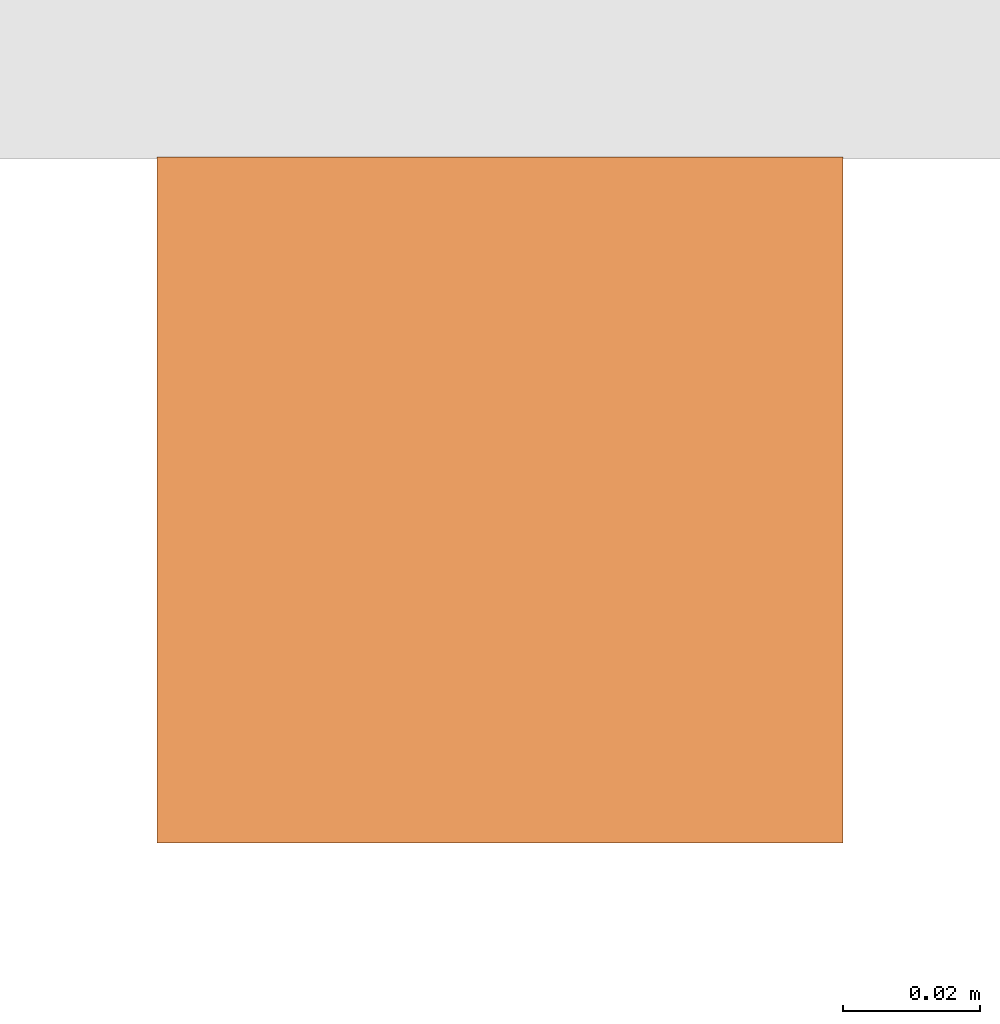
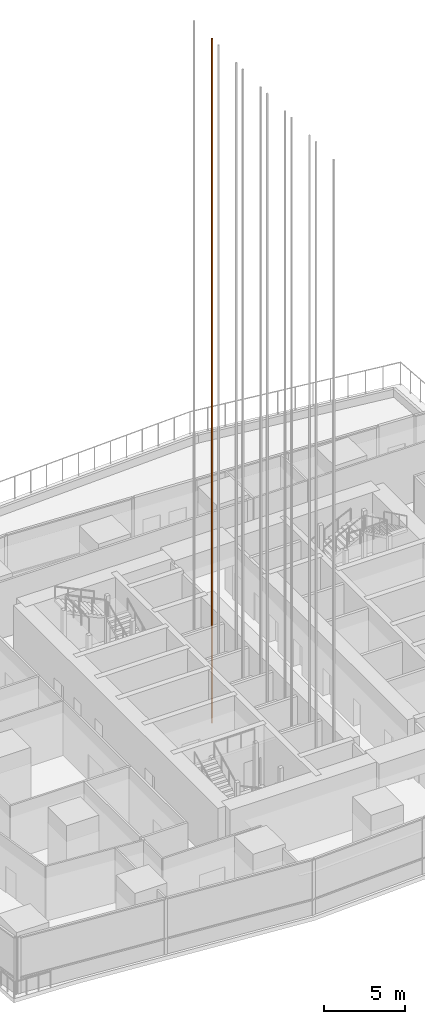
# One storey, part 38 of 39: 1 proxy.
"""IFC4 building model written with IfcOpenShell, lengths in metres."""

from ifc_helpers import new_model, si_unit, direction, frame, origin, origin_2d, place, context, subcontext, project, spatial, rectangle, extrude, material, type_object, element, save


model = new_model("IFC4")

# Units and contexts
model_context = context("Model", 3, precision=1e-05, world=origin(), true_north=direction((0.0, 1.0)))
body_context = subcontext(model_context, "Body", "Model", "MODEL_VIEW")
ifc_project = project(units=[si_unit("LENGTHUNIT", "METRE"), si_unit("AREAUNIT", "SQUARE_METRE"), si_unit("VOLUMEUNIT", "CUBIC_METRE"), si_unit("PLANEANGLEUNIT", "RADIAN"), si_unit("MASSUNIT", "GRAM", prefix="KILO")], contexts=[model_context])

# Site, building, storey
site_placement = place(None, origin())
site = spatial("IfcSite", under=ifc_project, at=site_placement, CompositionType="ELEMENT")
building_placement = place(site_placement, origin())
building = spatial("IfcBuilding", under=site, at=building_placement, Name="Rekha Terrace Tower", CompositionType="ELEMENT")
storey_placement = place(building_placement, frame((0.0, 0.0, 245.60009765625)))
storey = spatial("IfcBuildingStorey", under=building, at=storey_placement, Name="L62", CompositionType="ELEMENT", Elevation=245.60009765625)

# Proxy
ifc_material = material(Name="Steel guide rail", Category="steel")
building_element_proxy_type = type_object("IfcBuildingElementProxyType", Name="LR1 100 lift guide rail", PredefinedType="ELEMENT", material=ifc_material)
proxy_placement = place(storey_placement, frame((34.5, 38.800048828125, -3.30029296875), z_axis=(0.0, 0.0, 1.0), x_axis=(1.0, 0.0, 0.0)))
element("IfcBuildingElementProxy", 1, at=proxy_placement, inside=storey, type_object=building_element_proxy_type, Name="Lift D6 guide rail 1", PredefinedType="ELEMENT", context=body_context, shape_type="SweptSolid", body=[
    extrude(rectangle(XDim=0.10009765625, YDim=0.10009765625, at=origin_2d()), origin(), (0.0, 0.0, 1.0), 51.449951171875),
])

save(model, "model.ifc")
